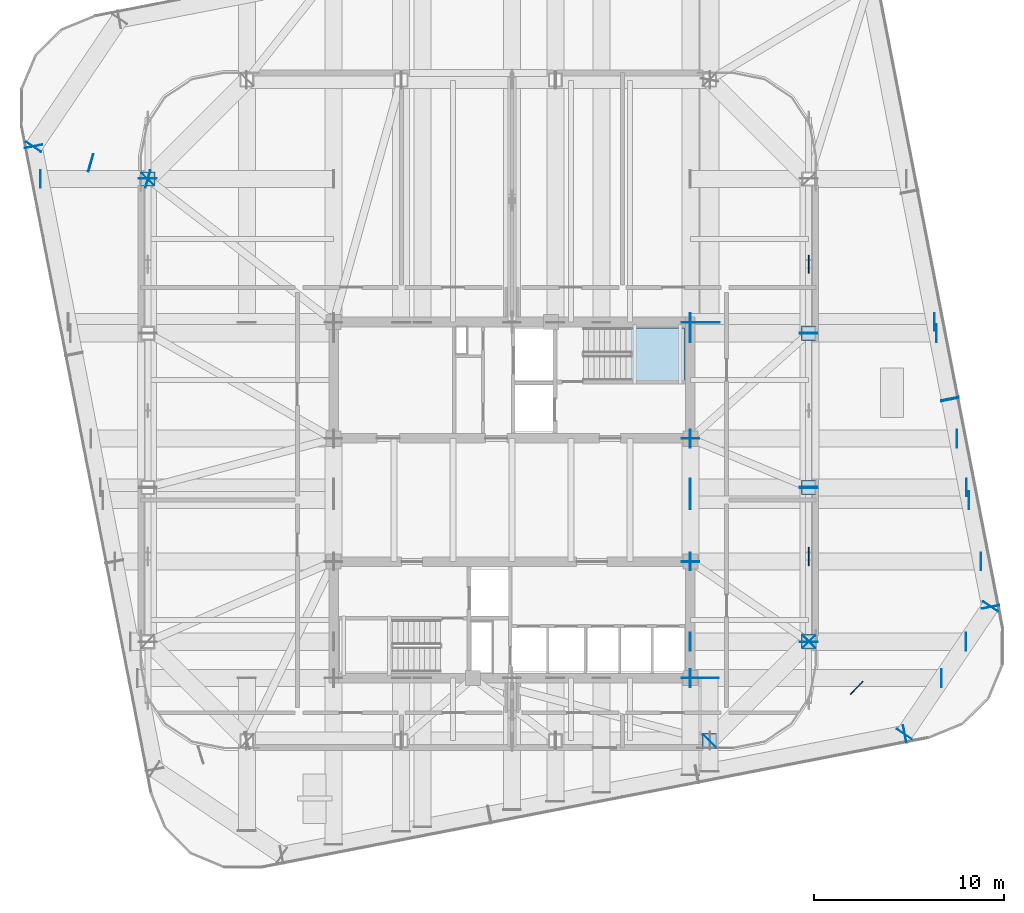
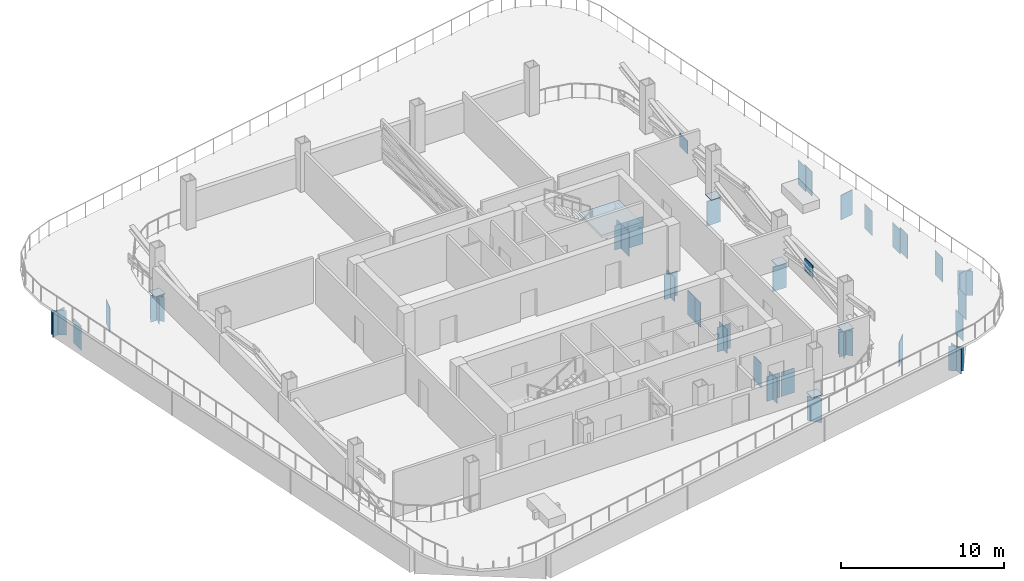
# One storey, part 6 of 14: 51 plates, 1 slab, 1 element without a shape of its own.
"""IFC4 building model written with IfcOpenShell, lengths in metres."""

from ifc_helpers import new_model, si_unit, direction, frame, origin, origin_2d, place, context, subcontext, project, spatial, polyline, rectangle, outline, extrude, material, layer, layer_set, type_object, element, aggregate, save


model = new_model("IFC4")

# Units and contexts
model_context = context("Model", 3, precision=1e-05, world=origin(), true_north=direction((0.0, 1.0)))
body_context = subcontext(model_context, "Body", "Model", "MODEL_VIEW")
ifc_project = project(units=[si_unit("LENGTHUNIT", "METRE"), si_unit("AREAUNIT", "SQUARE_METRE"), si_unit("VOLUMEUNIT", "CUBIC_METRE"), si_unit("PLANEANGLEUNIT", "RADIAN"), si_unit("MASSUNIT", "GRAM", prefix="KILO")], contexts=[model_context])

# Site, building, storey
site_placement = place(None, origin())
site = spatial("IfcSite", under=ifc_project, at=site_placement, CompositionType="ELEMENT")
building_placement = place(site_placement, origin())
building = spatial("IfcBuilding", under=site, at=building_placement, Name="Qhalaya Broadcast Tower", CompositionType="ELEMENT")
storey_placement = place(building_placement, frame((0.0, 0.0, 144.60009765625)))
storey = spatial("IfcBuildingStorey", under=building, at=storey_placement, Name="L42", CompositionType="ELEMENT", Elevation=144.60009765625)

# Plates
ifc_material_1 = material(Name="Structural Steel ASTM A572 Grade 50", Category="steel")
ifc_layer_1 = layer(ifc_material_1, 0.4599609375, Name="Structural Steel ASTM A572 Grade 50")
ifc_layer_set_1 = layer_set([ifc_layer_1], Name="Structural Steel ASTM A572 Grade 50")
plate_type_1 = type_object("IfcPlateType", Name="Hollow Box Member End Cap Plate CP-01", PredefinedType="USERDEFINED", material=ifc_layer_set_1)
for number, where, z_axis, x_axis, name in (
    (1, (10.36865234375, -12.05126953125, -2.10009765625), (0.0, 0.0, 1.0), (-0.707106781187, 0.707106781187, 0.0), "L42 Hollow Girder End Cap L42-SPR-04-A"),
    (2, (15.59130859375, -6.82861328125, -2.10009765625), (0.0, 0.0, 1.0), (-0.707106781187, 0.707106781187, 0.0), "L42 Hollow Girder End Cap L42-SPR-04-B"),
    (3, (15.580078125, -6.85595703125, -2.10009765625), (0.0, 0.0, 1.0), (-1.0, 0.0, 0.0), "L42 Hollow Girder End Cap L42-SPR-05-A"),
    (4, (15.580078125, 1.27587890625, -2.10009765625), (0.0, 0.0, 1.0), (-1.0, 0.0, 0.0), "L42 Hollow Girder End Cap L42-SPR-05-B"),
    (5, (15.580078125, 1.243896484375, -2.10009765625), (0.0, 0.0, 1.0), (-1.0, 0.0, 0.0), "L42 Hollow Girder End Cap L42-SPR-06-A"),
    (6, (15.580078125, 9.3759765625, -2.10009765625), (0.0, 0.0, 1.0), (-1.0, 0.0, 0.0), "L42 Hollow Girder End Cap L42-SPR-06-B"),
    (7, (15.580078125, 9.343994140625, -2.10009765625), (0.0, 0.0, 1.0), (-1.0, 0.0, 0.0), "L42 Hollow Girder End Cap L42-SPR-07-A"),
    (8, (-19.13134765625, 17.44873046875, -2.10009765625), (0.0, 0.0, 1.0), (0.707106781187, -0.707106781187, 0.0), "L42 Hollow Girder End Cap L42-SPR-12-B"),
    (9, (-19.1201171875, 17.47607421875, -2.10009765625), (0.0, 0.0, 1.0), (1.0, 0.0, 0.0), "L42 Hollow Girder End Cap L42-SPR-13-A"),
    (10, (20.62451171875, -11.67919921875, -2.10009765625), (0.0, 0.0, 1.0), (-0.190808995377, 0.981627183448, 0.0), "L42 Hollow Girder End Cap L42-TGL-03-B"),
    (11, (20.599853515625, -11.69580078125, -2.10009765625), (0.0, 0.0, 1.0), (-0.829037572555, 0.559192903471, 0.0), "L42 Hollow Girder End Cap L42-TGL-04-A"),
    (12, (25.125244140625, -4.986083984375, -2.10009765625), (0.0, 0.0, 1.0), (-0.829037572555, 0.559192903471, 0.0), "L42 Hollow Girder End Cap L42-TGL-04-B"),
    (13, (25.119384765625, -5.01513671875, -2.10009765625), (0.0, 0.0, 1.0), (-0.981627183448, -0.190808995377, 0.0), "L42 Hollow Girder End Cap L42-TGL-05-A"),
    (14, (22.995361328125, 5.912353515625, -2.10009765625), (0.0, 0.0, 1.0), (-0.981627183448, -0.190808995377, 0.0), "L42 Hollow Girder End Cap L42-TGL-05-B"),
    (15, (23.00146484375, 5.880859375, -2.10009765625), (0.0, 0.0, 1.0), (-0.981627183448, -0.190808995377, 0.0), "L42 Hollow Girder End Cap L42-TGL-06-A"),
    (16, (-25.125244140625, 19.146240234375, -2.10009765625), (0.0, 0.0, 1.0), (0.829037572555, -0.559192903471, 0.0), "L42 Hollow Girder End Cap L42-TGL-12-B"),
    (17, (-25.119384765625, 19.17529296875, -2.10009765625), (0.0, 0.0, 1.0), (0.981627183448, 0.190808995377, 0.0), "L42 Hollow Girder End Cap L42-TGL-13-A"),
    (18, (9.375, 9.93408203125, -2.10009765625), (0.0, 0.0, 1.0), (-1.0, 0.0, 0.0), "L42 Hollow Girder End Cap L42-TGINE-1-A"),
    (19, (9.35888671875, 0.60009765625, -2.10009765625), (0.0, 0.0, 1.0), (0.0, 1.0, 0.0), "L42 Hollow Girder End Cap L42-TGIYE-1-A"),
    (20, (24.003173828125, 0.60009765625, -2.10009765625), (0.0, 0.0, 1.0), (0.0, 1.0, 0.0), "L42 Hollow Girder End Cap L42-TGIYE-1-B"),
    (21, (9.375, -8.73388671875, -2.10009765625), (0.0, 0.0, 1.0), (-1.0, 0.0, 0.0), "L42 Hollow Girder End Cap L42-TGISE-1-B"),
    (22, (9.375, -2.64111328125, -2.10009765625), (0.0, 0.0, 1.0), (-1.0, 0.0, 0.0), "L42 Hollow Girder End Cap L42-TGIME-1-A"),
    (23, (9.375, 3.841064453125, -2.10009765625), (0.0, 0.0, 1.0), (-1.0, 0.0, 0.0), "L42 Hollow Girder End Cap L42-TGIME-1-B"),
    (24, (9.35888671875, -8.75, -2.10009765625), (0.0, 0.0, 1.0), (0.0, 1.0, 0.0), "L42 Hollow Girder End Cap L42-TGIY1E-1-A"),
    (25, (22.55419921875, -8.75, -2.10009765625), (0.0, 0.0, 1.0), (0.0, 1.0, 0.0), "L42 Hollow Girder End Cap L42-TGIY1E-1-B"),
    (26, (9.35888671875, -2.625, -2.10009765625), (0.0, 0.0, 1.0), (0.0, 1.0, 0.0), "L42 Hollow Girder End Cap L42-TGIY2E-1-A"),
    (27, (24.6298828125, -2.625, -2.10009765625), (0.0, 0.0, 1.0), (0.0, 1.0, 0.0), "L42 Hollow Girder End Cap L42-TGIY2E-1-B"),
    (28, (9.35888671875, 3.824951171875, -2.10009765625), (0.0, 0.0, 1.0), (0.0, 1.0, 0.0), "L42 Hollow Girder End Cap L42-TGIY3E-1-A"),
    (29, (23.376220703125, 3.824951171875, -2.10009765625), (0.0, 0.0, 1.0), (0.0, 1.0, 0.0), "L42 Hollow Girder End Cap L42-TGIY3E-1-B"),
    (30, (9.35888671875, 9.949951171875, -2.10009765625), (0.0, 0.0, 1.0), (0.0, 1.0, 0.0), "L42 Hollow Girder End Cap L42-TGIY4E-1-A"),
    (31, (22.185791015625, 9.949951171875, -2.10009765625), (0.0, 0.0, 1.0), (0.0, 1.0, 0.0), "L42 Hollow Girder End Cap L42-TGIY4E-1-B"),
    (32, (10.3798828125, -8.73388671875, -2.10009765625), (0.0, 0.0, 1.0), (-1.0, 0.0, 0.0), "L42 Hollow Girder End Cap L42-TGC-04-B"),
    (33, (9.35888671875, -6.840087890625, -2.10009765625), (0.0, 0.0, 1.0), (0.0, 1.0, 0.0), "L42 Hollow Girder End Cap L42-TGC-05-A"),
    (34, (23.842529296875, -6.840087890625, -2.10009765625), (0.0, 0.0, 1.0), (0.0, 1.0, 0.0), "L42 Hollow Girder End Cap L42-TGC-05-B"),
):
    element("IfcPlate", number, at=place(storey_placement, frame(where, z_axis=z_axis, x_axis=x_axis)), inside=storey, type_object=plate_type_1, Name=name, ObjectType="COVER_PLATE", PredefinedType="USERDEFINED", context=body_context, shape_type="SweptSolid", body=[
        extrude(rectangle(XDim=0.93994140625, YDim=0.031982421875, at=origin_2d()), origin(), (0.0, 0.0, 1.0), 1.840087890625),
    ])
plate_1_placement = place(storey_placement, frame((15.580078125, -6.840087890625, -2.080078125), z_axis=(0.0, 0.0, 1.0), x_axis=(-0.693640733943, -0.720321131312, 0.0)))
element("IfcPlate", 35, at=plate_1_placement, inside=storey, type_object=plate_type_1, Name="L42 Transfer Box End Cap 05", ObjectType="COVER_PLATE", PredefinedType="USERDEFINED", context=body_context, shape_type="SweptSolid", body=[
    extrude(rectangle(XDim=0.919921875, YDim=0.035888671875, at=origin_2d()), origin(), (0.0, 0.0, 1.0), 1.800048828125),
])
for number, where, z_axis, x_axis, name in (
    (36, (9.35888671875, 1.260009765625, -2.10009765625), (0.0, 0.0, 1.0), (0.0, 1.0, 0.0), "L42 Hollow Girder End Cap L42-TGC-06-A"),
    (37, (23.875, 1.260009765625, -2.10009765625), (0.0, 0.0, 1.0), (0.0, 1.0, 0.0), "L42 Hollow Girder End Cap L42-TGC-06-B"),
    (38, (9.35888671875, 9.360107421875, -2.10009765625), (0.0, 0.0, 1.0), (0.0, 1.0, 0.0), "L42 Hollow Girder End Cap L42-TGC-07-A"),
    (39, (22.30029296875, 9.360107421875, -2.10009765625), (0.0, 0.0, 1.0), (0.0, 1.0, 0.0), "L42 Hollow Girder End Cap L42-TGC-07-B"),
):
    element("IfcPlate", number, at=place(storey_placement, frame(where, z_axis=z_axis, x_axis=x_axis)), inside=storey, type_object=plate_type_1, Name=name, ObjectType="COVER_PLATE", PredefinedType="USERDEFINED", context=body_context, shape_type="SweptSolid", body=[
        extrude(rectangle(XDim=0.93994140625, YDim=0.031982421875, at=origin_2d()), origin(), (0.0, 0.0, 1.0), 1.840087890625),
    ])
plate_2_placement = place(storey_placement, frame((10.3798828125, 9.93408203125, -2.300048828125), z_axis=(0.0, 0.0, 1.0), x_axis=(-1.0, 0.0, 0.0)))
element("IfcPlate", 40, at=plate_2_placement, inside=storey, type_object=plate_type_1, Name="L42 Hollow Girder End Cap L42-TGC-09-A", ObjectType="COVER_PLATE", PredefinedType="USERDEFINED", context=body_context, shape_type="SweptSolid", body=[
    extrude(rectangle(XDim=1.0400390625, YDim=0.031982421875, at=origin_2d()), origin(), (0.0, 0.0, 1.0), 2.0400390625),
])
plate_3_placement = place(storey_placement, frame((-24.76123046875, 17.4599609375, -2.10009765625), z_axis=(0.0, 0.0, 1.0), x_axis=(0.0, 1.0, 0.0)))
element("IfcPlate", 41, at=plate_3_placement, inside=storey, type_object=plate_type_1, Name="L42 Hollow Girder End Cap L42-TGC-13-A", ObjectType="COVER_PLATE", PredefinedType="USERDEFINED", context=body_context, shape_type="SweptSolid", body=[
    extrude(rectangle(XDim=0.93994140625, YDim=0.031982421875, at=origin_2d()), origin(), (0.0, 0.0, 1.0), 1.840087890625),
])
plate_4_placement = place(storey_placement, frame((-19.1201171875, 17.4599609375, -2.080078125), z_axis=(0.0, 0.0, 1.0), x_axis=(0.272683276072, 0.962103856634, 0.0)))
element("IfcPlate", 42, at=plate_4_placement, inside=storey, type_object=plate_type_1, Name="L42 Transfer Box End Cap 13", ObjectType="COVER_PLATE", PredefinedType="USERDEFINED", context=body_context, shape_type="SweptSolid", body=[
    extrude(rectangle(XDim=0.919921875, YDim=0.035888671875, at=origin_2d()), origin(), (0.0, 0.0, 1.0), 1.800048828125),
])
for number, where, z_axis, x_axis, name in (
    (43, (10.3798828125, -12.0400390625, -0.0322265625), (0.0, 0.0, 1.0), (1.0, 0.0, 0.0), "L42 Hollow Box Column Base Cap Plate COL-NK04"),
    (44, (15.580078125, -6.840087890625, -0.0322265625), (0.0, 0.0, 1.0), (0.0, 1.0, 0.0), "L42 Hollow Box Column Base Cap Plate COL-NK05"),
    (45, (15.580078125, 1.260009765625, -0.0322265625), (0.0, 0.0, 1.0), (0.0, 1.0, 0.0), "L42 Hollow Box Column Base Cap Plate COL-NK06"),
    (46, (15.580078125, 9.360107421875, -0.0322265625), (0.0, 0.0, 1.0), (0.0, 1.0, 0.0), "L42 Hollow Box Column Base Cap Plate COL-NK07"),
    (47, (-19.1201171875, 17.4599609375, -0.0322265625), (0.0, 0.0, 1.0), (0.0, 1.0, 0.0), "L42 Hollow Box Column Base Cap Plate COL-NK13"),
):
    element("IfcPlate", number, at=place(storey_placement, frame(where, z_axis=z_axis, x_axis=x_axis)), inside=storey, type_object=plate_type_1, Name=name, ObjectType="COVER_PLATE", PredefinedType="USERDEFINED", context=body_context, shape_type="SweptSolid", body=[
        extrude(rectangle(XDim=0.739990234375, YDim=0.739990234375, at=origin_2d()), origin(), (0.0, 0.0, 1.0), 0.031982421875),
    ])
ifc_layer_2 = layer(ifc_material_1, 0.06005859375, Name="Structural Steel ASTM A572 Grade 50")
ifc_layer_set_2 = layer_set([ifc_layer_2], Name="Structural Steel ASTM A572 Grade 50")
plate_type_2 = type_object("IfcPlateType", Name="Outrigger Core Embed Gusset Plate NP-02", PredefinedType="USERDEFINED", material=ifc_layer_set_2)
for number, where, z_axis, x_axis, name in (
    (48, (15.580078125, -2.364990234375, 1.21484375), (0.0, 0.0, 1.0), (0.0, 1.0, 0.0), "L42 Belt Truss X-Crossing Gusset E1"),
    (49, (15.580078125, 12.985107421875, 1.21484375), (0.0, 0.0, 1.0), (0.0, 1.0, 0.0), "L42 Belt Truss X-Crossing Gusset E2"),
):
    element("IfcPlate", number, at=place(storey_placement, frame(where, z_axis=z_axis, x_axis=x_axis)), inside=storey, type_object=plate_type_2, Name=name, ObjectType="GUSSET_PLATE", PredefinedType="USERDEFINED", context=body_context, shape_type="SweptSolid", body=[
        extrude(rectangle(XDim=0.949951171875, YDim=0.06005859375, at=origin_2d()), origin(), (0.0, 0.0, 1.0), 0.949951171875),
    ])

# Stair, slab
ifc_material_2 = material(Name="Concrete C40/50", Category="concrete")
stair_type = type_object("IfcStairType", Name="Protected Dogleg Core Stair 3600", PredefinedType="TWO_STRAIGHT_RUN_STAIR", material=ifc_material_2)
stair_placement = place(storey_placement, origin())
stair = element("IfcStair", 50, at=stair_placement, inside=storey, type_object=stair_type, Name="L42 North Core Exit Stair ST-1", PredefinedType="TWO_STRAIGHT_RUN_STAIR")
ifc_layer_3 = layer(ifc_material_2, 0.199951171875, Name="Concrete C40/50")
ifc_layer_set_3 = layer_set([ifc_layer_3], Name="Concrete C40/50")
slab_type = type_object("IfcSlabType", Name="Stair & Ramp Half-Landing Slab 200", PredefinedType="LANDING", material=ifc_layer_set_3)
slab_placement = place(storey_placement, frame((0.0, 0.0, 1.599853515625)))
slab = element("IfcSlab", 51, at=slab_placement, type_object=slab_type, Name="ST-1 landing 1", PredefinedType="LANDING", context=body_context, shape_type="SweptSolid", body=[
    extrude(outline(polyline([(6.235107421875, 6.8798828125), (9.050048828125, 6.8798828125), (9.050048828125, 9.639892578125), (6.235107421875, 9.639892578125), (6.235107421875, 6.8798828125)])), origin(), (0.0, 0.0, 1.0), 0.199951171875),
])
aggregate(stair, [slab])

# Plates
ifc_layer_4 = layer(ifc_material_1, 0.044921875, Name="Structural Steel ASTM A572 Grade 50")
ifc_layer_set_4 = layer_set([ifc_layer_4], Name="Structural Steel ASTM A572 Grade 50")
plate_type_3 = type_object("IfcPlateType", Name="Transfer Girder Web Stiffener Plate WS-01", PredefinedType="USERDEFINED", material=ifc_layer_set_4)
for number, where, z_axis, x_axis, name in (
    (52, (18.09423828125, -9.26123046875, -2.080078125), (0.0, 0.0, 1.0), (-0.693640733943, -0.720321131312, 0.0), "L42 Transfer Girder Stiffener 05"),
    (53, (-22.1181640625, 18.309814453125, -2.080078125), (0.0, 0.0, 1.0), (0.272683276072, 0.962103856634, 0.0), "L42 Transfer Girder Stiffener 13"),
):
    element("IfcPlate", number, at=place(storey_placement, frame(where, z_axis=z_axis, x_axis=x_axis)), inside=storey, type_object=plate_type_3, Name=name, ObjectType="STIFFENER_PLATE", PredefinedType="USERDEFINED", context=body_context, shape_type="SweptSolid", body=[
        extrude(rectangle(XDim=0.93994140625, YDim=0.044921875, at=origin_2d()), origin(), (0.0, 0.0, 1.0), 1.800048828125),
    ])

save(model, "model.ifc")
